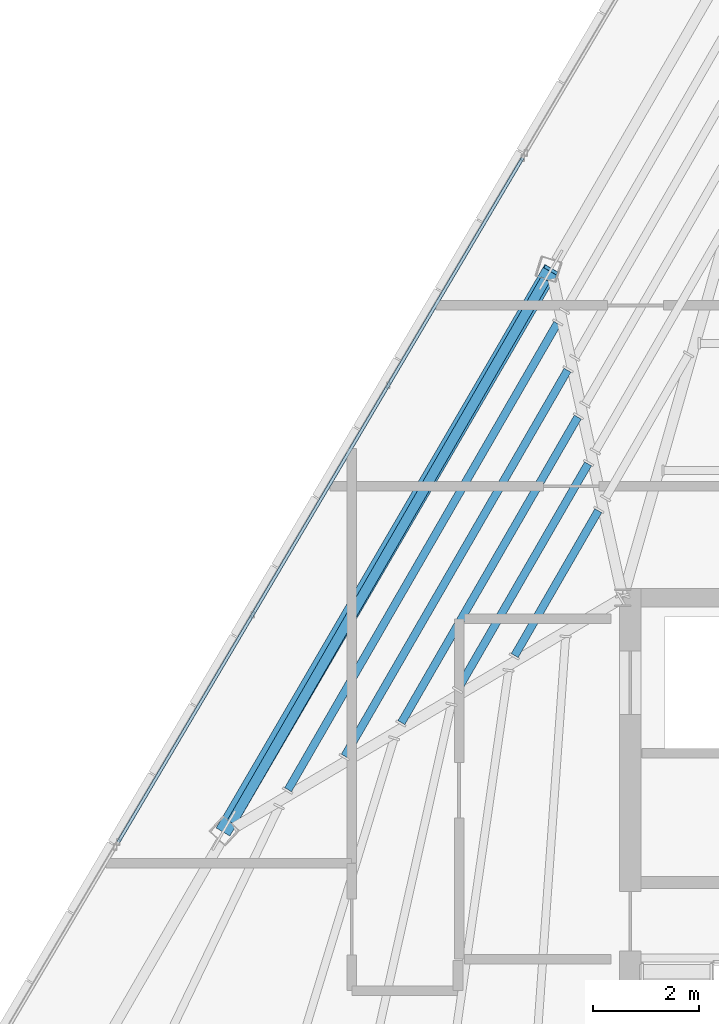
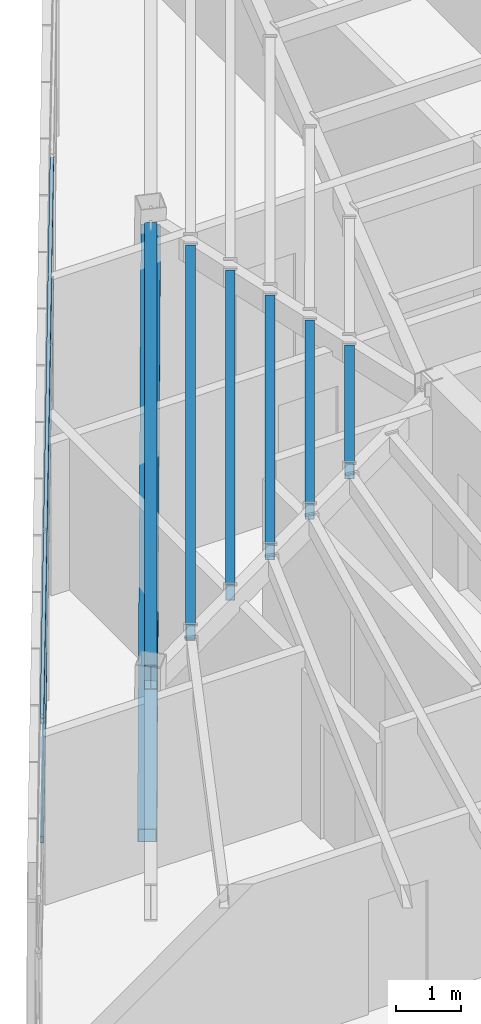
# One storey, part 18 of 48: 6 beams, 3 members, 1 element without a shape of its own.
"""IFC4 building model written with IfcOpenShell, lengths in metres."""

from ifc_helpers import new_model, si_unit, direction, frame, origin, origin_2d, place, context, subcontext, project, spatial, hollow_rectangle, i_section, extrude, source, transform, mapped, material, material_profile, profile_set, type_object, type_shapes, element, aggregate, save


model = new_model("IFC4")

# Units and contexts
model_context = context("Model", 3, precision=1e-05, world=origin(), true_north=direction((0.0, 1.0)))
body_context = subcontext(model_context, "Body", "Model", "MODEL_VIEW")
ifc_project = project(units=[si_unit("LENGTHUNIT", "METRE"), si_unit("AREAUNIT", "SQUARE_METRE"), si_unit("VOLUMEUNIT", "CUBIC_METRE"), si_unit("PLANEANGLEUNIT", "RADIAN"), si_unit("MASSUNIT", "GRAM", prefix="KILO")], contexts=[model_context])

# Site, building, storey
site_placement = place(None, origin())
site = spatial("IfcSite", under=ifc_project, at=site_placement, CompositionType="ELEMENT")
building_placement = place(site_placement, origin())
building = spatial("IfcBuilding", under=site, at=building_placement, Name="Caelisora Broadcast Tower", CompositionType="ELEMENT")
storey_placement = place(building_placement, frame((0.0, 0.0, 300.0)))
storey = spatial("IfcBuildingStorey", under=building, at=storey_placement, Name="L79", CompositionType="ELEMENT", Elevation=300.0)

# Beams
ifc_material_1 = material(Name="Steel Grade 350 (AS/NZS 3679.1)", Category="steel")
ifc_material_profile_1 = material_profile(ifc_material_1, i_section(OverallWidth=0.19091796875, OverallDepth=0.46044921875, WebThickness=0.010009765625, FlangeThickness=0.01611328125, at=origin_2d()), Name="Steel Grade 350 (AS/NZS 3679.1)")
ifc_profile_set_1 = profile_set([ifc_material_profile_1], Name="Steel Grade 350 (AS/NZS 3679.1)")
beam_type_1 = type_object("IfcBeamType", Name="PG06", PredefinedType="BEAM", material=ifc_profile_set_1)
shared_shape_1 = source(origin(), body_context, "Body", "SweptSolid", [
    extrude(i_section(OverallWidth=0.19091796875, OverallDepth=0.46044921875, WebThickness=0.010009765625, FlangeThickness=0.01611328125, at=origin_2d()), origin(), (0.0, 0.0, 1.0), 11.809326171875),
])
type_shapes(beam_type_1, [shared_shape_1])
beam_1_placement = place(storey_placement, frame((29.04443359375, 35.98876953125, 2.919921875), z_axis=(-0.499987904007, -0.866032387297, 0.0), x_axis=(0.866032387297, -0.499987904007, 0.0)))
element("IfcBeam", 1, at=beam_1_placement, inside=storey, type_object=beam_type_1, Name="L79 beam PG06", PredefinedType="BEAM", context=body_context, shape_type="MappedRepresentation", body=[
    mapped(shared_shape_1, transform((0.0, 0.0, 0.0), scale=1.0)),
])
ifc_material_2 = material(Name="Steel Grade 350 (AS/NZS 1163 C350L0)", Category="steel")
ifc_material_profile_2 = material_profile(ifc_material_2, hollow_rectangle(XDim=0.14990234375, YDim=0.300048828125, WallThickness=0.010009765625, at=origin_2d()), Name="Steel Grade 350 (AS/NZS 1163 C350L0)")
ifc_profile_set_2 = profile_set([ifc_material_profile_2], Name="Steel Grade 350 (AS/NZS 1163 C350L0)")
beam_type_2 = type_object("IfcBeamType", Name="SB05", PredefinedType="JOIST", material=ifc_profile_set_2)
shared_shape_2 = source(origin(), body_context, "Body", "SweptSolid", [
    extrude(hollow_rectangle(XDim=0.14990234375, YDim=0.300048828125, WallThickness=0.010009765625, at=origin_2d()), origin(), (0.0, 0.0, 1.0), 3.146728515625),
])
beam_2_placement = place(storey_placement, frame((30.041259765625, 31.63671875, 3.0), z_axis=(-0.500035861063, -0.8660046984, 0.0), x_axis=(0.8660046984, -0.500035861063, 0.0)))
element("IfcBeam", 2, at=beam_2_placement, inside=storey, type_object=beam_type_2, Name="L79 beam SB05", PredefinedType="JOIST", context=body_context, shape_type="MappedRepresentation", body=[
    mapped(shared_shape_2, transform((0.0, 0.0, 0.0), scale=1.0)),
])
shared_shape_3 = source(origin(), body_context, "Body", "SweptSolid", [
    extrude(hollow_rectangle(XDim=0.14990234375, YDim=0.300048828125, WallThickness=0.010009765625, at=origin_2d()), origin(), (0.0, 0.0, 1.0), 4.89306640625),
])
beam_3_placement = place(storey_placement, frame((29.84814453125, 32.517822265625, 3.0), z_axis=(-0.499997432067, -0.866026886376, 0.0), x_axis=(0.866026886376, -0.499997432067, 0.0)))
element("IfcBeam", 3, at=beam_3_placement, inside=storey, type_object=beam_type_2, Name="L79 beam SB05", PredefinedType="JOIST", context=body_context, shape_type="MappedRepresentation", body=[
    mapped(shared_shape_3, transform((0.0, 0.0, 0.0), scale=1.0)),
])
shared_shape_4 = source(origin(), body_context, "Body", "SweptSolid", [
    extrude(hollow_rectangle(XDim=0.14990234375, YDim=0.300048828125, WallThickness=0.010009765625, at=origin_2d()), origin(), (0.0, 0.0, 1.0), 6.6396484375),
])
beam_4_placement = place(storey_placement, frame((29.655029296875, 33.399169921875, 3.0), z_axis=(-0.499990874986, -0.86603067205, 0.0), x_axis=(0.86603067205, -0.499990874986, 0.0)))
element("IfcBeam", 4, at=beam_4_placement, inside=storey, type_object=beam_type_2, Name="L79 beam SB05", PredefinedType="JOIST", context=body_context, shape_type="MappedRepresentation", body=[
    mapped(shared_shape_4, transform((0.0, 0.0, 0.0), scale=1.0)),
])
shared_shape_5 = source(origin(), body_context, "Body", "SweptSolid", [
    extrude(hollow_rectangle(XDim=0.14990234375, YDim=0.300048828125, WallThickness=0.010009765625, at=origin_2d()), origin(), (0.0, 0.0, 1.0), 8.38623046875),
])
beam_5_placement = place(storey_placement, frame((29.4619140625, 34.280517578125, 3.0), z_axis=(-0.499999654851, -0.866025603056, 0.0), x_axis=(0.866025603056, -0.499999654851, 0.0)))
element("IfcBeam", 5, at=beam_5_placement, inside=storey, type_object=beam_type_2, Name="L79 beam SB05", PredefinedType="JOIST", context=body_context, shape_type="MappedRepresentation", body=[
    mapped(shared_shape_5, transform((0.0, 0.0, 0.0), scale=1.0)),
])
shared_shape_6 = source(origin(), body_context, "Body", "SweptSolid", [
    extrude(hollow_rectangle(XDim=0.14990234375, YDim=0.300048828125, WallThickness=0.010009765625, at=origin_2d()), origin(), (0.0, 0.0, 1.0), 10.132568359375),
])
type_shapes(beam_type_2, [shared_shape_2, shared_shape_3, shared_shape_4, shared_shape_5, shared_shape_6])
beam_6_placement = place(storey_placement, frame((29.268798828125, 35.16162109375, 3.0), z_axis=(-0.499987337164, -0.866032714553, 0.0), x_axis=(0.866032714553, -0.499987337164, 0.0)))
element("IfcBeam", 6, at=beam_6_placement, inside=storey, type_object=beam_type_2, Name="L79 beam SB05", PredefinedType="JOIST", context=body_context, shape_type="MappedRepresentation", body=[
    mapped(shared_shape_6, transform((0.0, 0.0, 0.0), scale=1.0)),
])

# Member
ifc_material_3 = material(Name="Steel Grade 450 (AS/NZS 1163 C450L0)", Category="steel")
ifc_material_profile_3 = material_profile(ifc_material_3, hollow_rectangle(XDim=0.300048828125, YDim=0.300048828125, WallThickness=0.012451171875, at=origin_2d()), Name="Steel Grade 450 (AS/NZS 1163 C450L0)")
ifc_profile_set_3 = profile_set([ifc_material_profile_3], Name="Steel Grade 450 (AS/NZS 1163 C450L0)")
member_type_1 = type_object("IfcMemberType", Name="BR06", PredefinedType="BRACE", material=ifc_profile_set_3)
shared_shape_7 = source(origin(), body_context, "Body", "SweptSolid", [
    extrude(hollow_rectangle(XDim=0.300048828125, YDim=0.300048828125, WallThickness=0.012451171875, at=origin_2d()), origin(), (0.0, 0.0, 1.0), 12.518798828125),
])
type_shapes(member_type_1, [shared_shape_7])
member_1_placement = place(storey_placement, frame((29.1484375, 36.168701171875, 2.85009765625), z_axis=(-0.49154315861, -0.842692776303, -0.219668404626), x_axis=(0.863791226128, -0.503849895965, 0.0)))
element("IfcMember", 7, at=member_1_placement, inside=storey, type_object=member_type_1, Name="L79 perimeter brace BR06", PredefinedType="BRACE", context=body_context, shape_type="MappedRepresentation", body=[
    mapped(shared_shape_7, transform((0.0, 0.0, 0.0), scale=1.0)),
])

# Curtain wall, members
ifc_material_4 = material(Name="Unitised Aluminium Insulated Shadow-Box Spandrel Curtain Wall", Category="aluminium")
curtain_wall_type = type_object("IfcCurtainWallType", Name="CW-SP3", PredefinedType="NOTDEFINED", material=ifc_material_4)
curtain_wall_placement = place(storey_placement, origin())
curtain_wall = element("IfcCurtainWall", 8, at=curtain_wall_placement, inside=storey, type_object=curtain_wall_type, Name="L79 curtain wall CW-SP3", PredefinedType="NOTDEFINED")
ifc_material_5 = material(Name="Aluminium 6063-T6 Anodised Terracotta Bronze", Category="aluminium")
ifc_material_profile_4 = material_profile(ifc_material_5, hollow_rectangle(XDim=0.06005859375, YDim=0.1201171875, WallThickness=0.0029296875, at=origin_2d()), Name="Aluminium 6063-T6 Anodised Terracotta Bronze")
ifc_profile_set_4 = profile_set([ifc_material_profile_4], Name="Aluminium 6063-T6 Anodised Terracotta Bronze")
member_type_2 = type_object("IfcMemberType", Name="CWT-03", PredefinedType="USERDEFINED", material=ifc_profile_set_4)
shared_shape_8 = source(origin(), body_context, "Body", "SweptSolid", [
    extrude(hollow_rectangle(XDim=0.06005859375, YDim=0.1201171875, WallThickness=0.0029296875, at=origin_2d()), origin(), (0.0, 0.0, 1.0), 14.95458984375),
])
type_shapes(member_type_2, [shared_shape_8])
member_2_placement = place(storey_placement, frame((21.00830078125, 25.401611328125, 0.85009765625), z_axis=(0.508835461986, 0.860863794468, 0.0), x_axis=(-0.860863794468, 0.508835461986, 0.0)))
member_2 = element("IfcMember", 9, at=member_2_placement, type_object=member_type_2, Name="L79-CW-B10 transom #1", ObjectType="TRANSOM", PredefinedType="USERDEFINED", context=body_context, shape_type="MappedRepresentation", body=[
    mapped(shared_shape_8, transform((0.0, 0.0, 0.0), scale=1.0)),
])
member_3_placement = place(storey_placement, frame((21.00830078125, 25.401611328125, 3.070068359375), z_axis=(0.508835461986, 0.860863794468, 0.0), x_axis=(-0.860863794468, 0.508835461986, 0.0)))
member_3 = element("IfcMember", 10, at=member_3_placement, type_object=member_type_2, Name="L79-CW-B10 transom #2", ObjectType="TRANSOM", PredefinedType="USERDEFINED", context=body_context, shape_type="MappedRepresentation", body=[
    mapped(shared_shape_8, transform((0.0, 0.0, 0.0), scale=1.0)),
])
aggregate(curtain_wall, [member_2, member_3])

save(model, "model.ifc")
